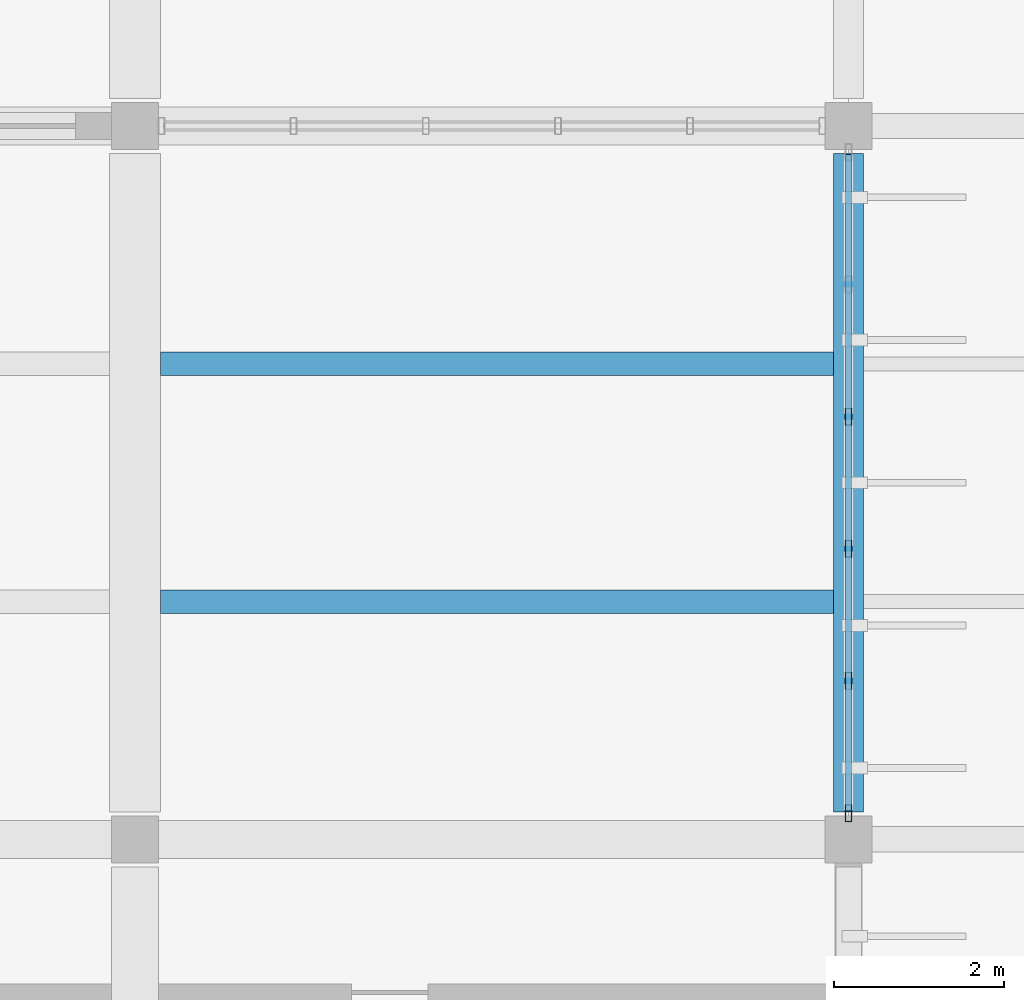
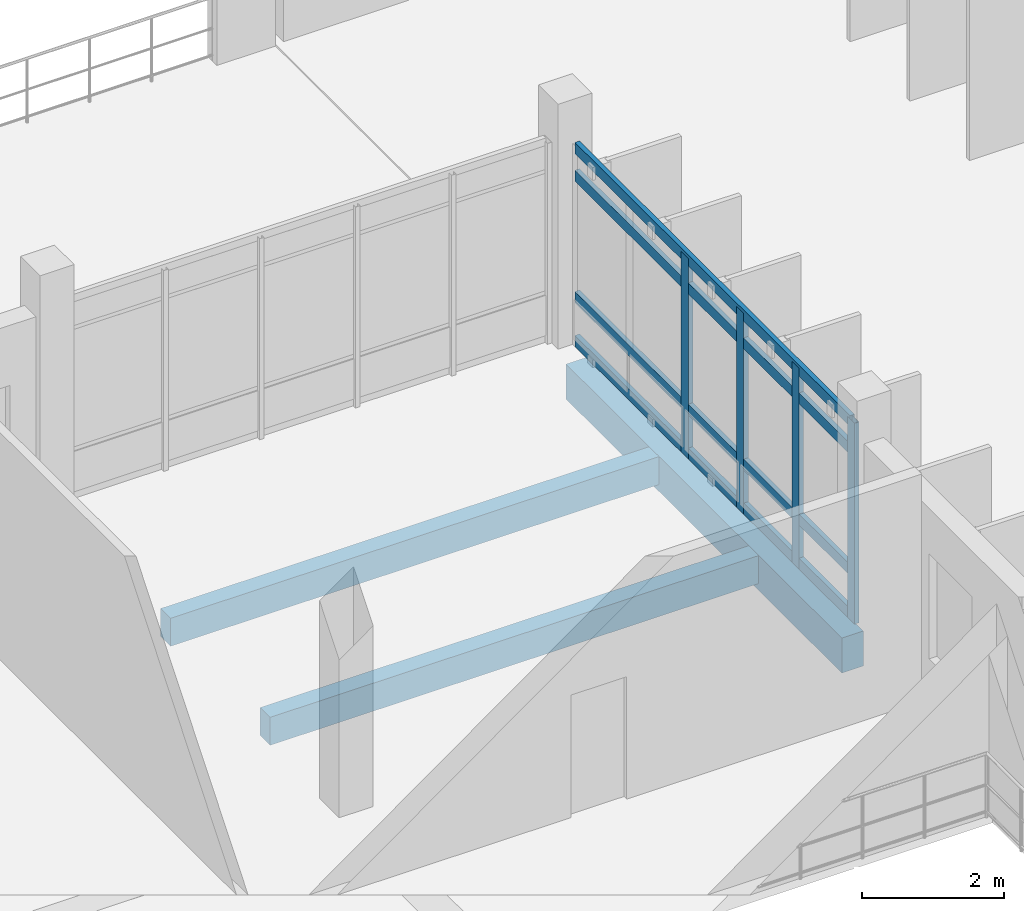
# One storey, part 87 of 130: 8 members, 3 beams, 1 element without a shape of its own.
"""IFC4 building model written with IfcOpenShell, lengths in metres."""

from ifc_helpers import new_model, si_unit, direction, frame, origin, origin_2d, place, context, subcontext, project, spatial, rectangle, hollow_rectangle, extrude, material, layer, layer_set, material_profile, profile_set, type_object, element, aggregate, save


model = new_model("IFC4")

# Units and contexts
model_context = context("Model", 3, precision=1e-05, world=origin(), true_north=direction((0.0, 1.0)))
body_context = subcontext(model_context, "Body", "Model", "MODEL_VIEW")
ifc_project = project(units=[si_unit("LENGTHUNIT", "METRE"), si_unit("AREAUNIT", "SQUARE_METRE"), si_unit("VOLUMEUNIT", "CUBIC_METRE"), si_unit("PLANEANGLEUNIT", "RADIAN"), si_unit("MASSUNIT", "GRAM", prefix="KILO")], contexts=[model_context])

# Site, building, storey
site_placement = place(None, origin())
site = spatial("IfcSite", under=ifc_project, at=site_placement, CompositionType="ELEMENT")
building_placement = place(site_placement, origin())
building = spatial("IfcBuilding", under=site, at=building_placement, Name="Vireocrest Preparatory School", CompositionType="ELEMENT")
storey_placement = place(building_placement, frame((0.0, 0.0, 9.0)))
storey = spatial("IfcBuildingStorey", under=building, at=storey_placement, Name="L02", CompositionType="ELEMENT", Elevation=9.0)

# Curtain wall, members
ifc_material_1 = material(Name="Thermally broken aluminium EN AW-6063-T6", Category="aluminium")
ifc_layer = layer(ifc_material_1, 0.179931640625)
ifc_layer_set = layer_set([ifc_layer], Name="Thermally broken aluminium EN AW-6063-T6")
curtain_wall_type = type_object("IfcCurtainWallType", Name="Teaching Fin Curtain Wall 8400x4200", PredefinedType="USERDEFINED", material=ifc_layer_set)
curtain_wall_placement = place(storey_placement, origin())
curtain_wall = element("IfcCurtainWall", 1, at=curtain_wall_placement, inside=storey, type_object=curtain_wall_type, Name="Curtain Wall CW03 CW_L02_CW03_1344_0272_090", ObjectType="CURTAIN WALL", PredefinedType="USERDEFINED")
ifc_material_profile_1 = material_profile(ifc_material_1, hollow_rectangle(XDim=0.074951171875, YDim=0.199951171875, WallThickness=0.0048828125, at=origin_2d()), Name="ALU 75x200x5")
ifc_profile_set_1 = profile_set([ifc_material_profile_1], Name="Thermally broken aluminium EN AW-6063-T6")
member_type_1 = type_object("IfcMemberType", Name="CW Mullion 75x200x5", PredefinedType="MULLION", material=ifc_profile_set_1)
member_1_placement = place(storey_placement, frame((134.39990234375, 27.31005859375, 0.0), z_axis=(0.0, 0.0, 1.0), x_axis=(1.0, 0.0, 0.0)))
member_1 = element("IfcMember", 2, at=member_1_placement, type_object=member_type_1, Name="CW Mullion ML3 CW_L02_CW03_1344_0272_090-1", PredefinedType="MULLION", context=body_context, shape_type="SweptSolid", body=[
    extrude(hollow_rectangle(XDim=0.074951171875, YDim=0.199951171875, WallThickness=0.0048828125, at=origin_2d()), origin(), (0.0, 0.0, 1.0), 3.445068359375),
])
member_2_placement = place(storey_placement, frame((134.39990234375, 28.865966796875, 0.0), z_axis=(0.0, 0.0, 1.0), x_axis=(1.0, 0.0, 0.0)))
member_2 = element("IfcMember", 3, at=member_2_placement, type_object=member_type_1, Name="CW Mullion ML3 CW_L02_CW03_1344_0272_090-2", PredefinedType="MULLION", context=body_context, shape_type="SweptSolid", body=[
    extrude(hollow_rectangle(XDim=0.074951171875, YDim=0.199951171875, WallThickness=0.0048828125, at=origin_2d()), origin(), (0.0, 0.0, 1.0), 3.445068359375),
])
member_3_placement = place(storey_placement, frame((134.39990234375, 30.422119140625, 0.0), z_axis=(0.0, 0.0, 1.0), x_axis=(1.0, 0.0, 0.0)))
member_3 = element("IfcMember", 4, at=member_3_placement, type_object=member_type_1, Name="CW Mullion ML3 CW_L02_CW03_1344_0272_090-3", PredefinedType="MULLION", context=body_context, shape_type="SweptSolid", body=[
    extrude(hollow_rectangle(XDim=0.074951171875, YDim=0.199951171875, WallThickness=0.0048828125, at=origin_2d()), origin(), (0.0, 0.0, 1.0), 3.445068359375),
])
member_4_placement = place(storey_placement, frame((134.39990234375, 31.97802734375, 0.0), z_axis=(0.0, 0.0, 1.0), x_axis=(1.0, 0.0, 0.0)))
member_4 = element("IfcMember", 5, at=member_4_placement, type_object=member_type_1, Name="CW Mullion ML3 CW_L02_CW03_1344_0272_090-4", PredefinedType="MULLION", context=body_context, shape_type="SweptSolid", body=[
    extrude(hollow_rectangle(XDim=0.074951171875, YDim=0.199951171875, WallThickness=0.0048828125, at=origin_2d()), origin(), (0.0, 0.0, 1.0), 3.445068359375),
])
ifc_material_profile_2 = material_profile(ifc_material_1, hollow_rectangle(XDim=0.074951171875, YDim=0.18994140625, WallThickness=0.00390625, at=origin_2d()), Name="ALU 75x190x4")
ifc_profile_set_2 = profile_set([ifc_material_profile_2], Name="Thermally broken aluminium EN AW-6063-T6")
member_type_2 = type_object("IfcMemberType", Name="CW Transom 75x190x4", PredefinedType="USERDEFINED", material=ifc_profile_set_2)
member_5_placement = place(storey_placement, frame((134.39990234375, 27.3349609375, 0.094970703125), z_axis=(0.0, 1.0, 0.0), x_axis=(-1.0, 0.0, 0.0)))
member_5 = element("IfcMember", 6, at=member_5_placement, type_object=member_type_2, Name="CW Transom TR3 CW_L02_CW03_1344_0272_090-1", ObjectType="TRANSOM", PredefinedType="USERDEFINED", context=body_context, shape_type="SweptSolid", body=[
    extrude(hollow_rectangle(XDim=0.074951171875, YDim=0.18994140625, WallThickness=0.00390625, at=origin_2d()), origin(), (0.0, 0.0, 1.0), 7.72998046875),
])
member_6_placement = place(storey_placement, frame((134.39990234375, 27.3349609375, 0.85009765625), z_axis=(0.0, 1.0, 0.0), x_axis=(-1.0, 0.0, 0.0)))
member_6 = element("IfcMember", 7, at=member_6_placement, type_object=member_type_2, Name="CW Transom TR3 CW_L02_CW03_1344_0272_090-2", ObjectType="TRANSOM", PredefinedType="USERDEFINED", context=body_context, shape_type="SweptSolid", body=[
    extrude(hollow_rectangle(XDim=0.074951171875, YDim=0.18994140625, WallThickness=0.00390625, at=origin_2d()), origin(), (0.0, 0.0, 1.0), 7.72998046875),
])
member_7_placement = place(storey_placement, frame((134.39990234375, 27.3349609375, 2.929931640625), z_axis=(0.0, 1.0, 0.0), x_axis=(-1.0, 0.0, 0.0)))
member_7 = element("IfcMember", 8, at=member_7_placement, type_object=member_type_2, Name="CW Transom TR3 CW_L02_CW03_1344_0272_090-3", ObjectType="TRANSOM", PredefinedType="USERDEFINED", context=body_context, shape_type="SweptSolid", body=[
    extrude(hollow_rectangle(XDim=0.074951171875, YDim=0.18994140625, WallThickness=0.00390625, at=origin_2d()), origin(), (0.0, 0.0, 1.0), 7.72998046875),
])
member_8_placement = place(storey_placement, frame((134.39990234375, 27.3349609375, 3.405029296875), z_axis=(0.0, 1.0, 0.0), x_axis=(-1.0, 0.0, 0.0)))
member_8 = element("IfcMember", 9, at=member_8_placement, type_object=member_type_2, Name="CW Transom TR3 CW_L02_CW03_1344_0272_090-4", ObjectType="TRANSOM", PredefinedType="USERDEFINED", context=body_context, shape_type="SweptSolid", body=[
    extrude(hollow_rectangle(XDim=0.074951171875, YDim=0.18994140625, WallThickness=0.00390625, at=origin_2d()), origin(), (0.0, 0.0, 1.0), 7.72998046875),
])
aggregate(curtain_wall, [member_1, member_2, member_3, member_4, member_5, member_6, member_7, member_8])

# Beams
ifc_material_2 = material(Name="Concrete 40 MPa", Category="concrete")
ifc_material_profile_3 = material_profile(ifc_material_2, rectangle(XDim=0.35009765625, YDim=0.60009765625, at=origin_2d()), Name="RC 350x600")
ifc_profile_set_3 = profile_set([ifc_material_profile_3], Name="Concrete 40 MPa")
beam_type_1 = type_object("IfcBeamType", Name="RC Classroom Girder 350x600", PredefinedType="BEAM", material=ifc_profile_set_3)
beam_placement = place(storey_placement, frame((134.39990234375, 27.324951171875, -0.56005859375), z_axis=(0.0, 1.0, 0.0), x_axis=(-1.0, 0.0, 0.0)))
element("IfcBeam", 10, at=beam_placement, inside=storey, type_object=beam_type_1, Name="Primary Girder B04 L02-0879", PredefinedType="BEAM", context=body_context, shape_type="SweptSolid", body=[
    extrude(rectangle(XDim=0.35009765625, YDim=0.60009765625, at=origin_2d()), origin(), (0.0, 0.0, 1.0), 7.75),
])
ifc_material_profile_4 = material_profile(ifc_material_2, rectangle(XDim=0.280029296875, YDim=0.47998046875, at=origin_2d()), Name="RC 280x480")
ifc_profile_set_4 = profile_set([ifc_material_profile_4], Name="Concrete 40 MPa")
beam_type_2 = type_object("IfcBeamType", Name="RC Secondary Lab Joist 280x480", PredefinedType="JOIST", material=ifc_profile_set_4)
for number, where, z_axis, x_axis, name in (
    (11, (126.300048828125, 29.800048828125, -0.5), (1.0, 0.0, 0.0), (0.0, 1.0, 0.0), "Secondary Joist J02 L02-1022"),
    (12, (126.300048828125, 32.60009765625, -0.5), (1.0, 0.0, 0.0), (0.0, 1.0, 0.0), "Secondary Joist J02 L02-1023"),
):
    element("IfcBeam", number, at=place(storey_placement, frame(where, z_axis=z_axis, x_axis=x_axis)), inside=storey, type_object=beam_type_2, Name=name, PredefinedType="JOIST", context=body_context, shape_type="SweptSolid", body=[
        extrude(rectangle(XDim=0.280029296875, YDim=0.47998046875, at=origin_2d()), origin(), (0.0, 0.0, 1.0), 7.925048828125),
    ])

save(model, "model.ifc")
